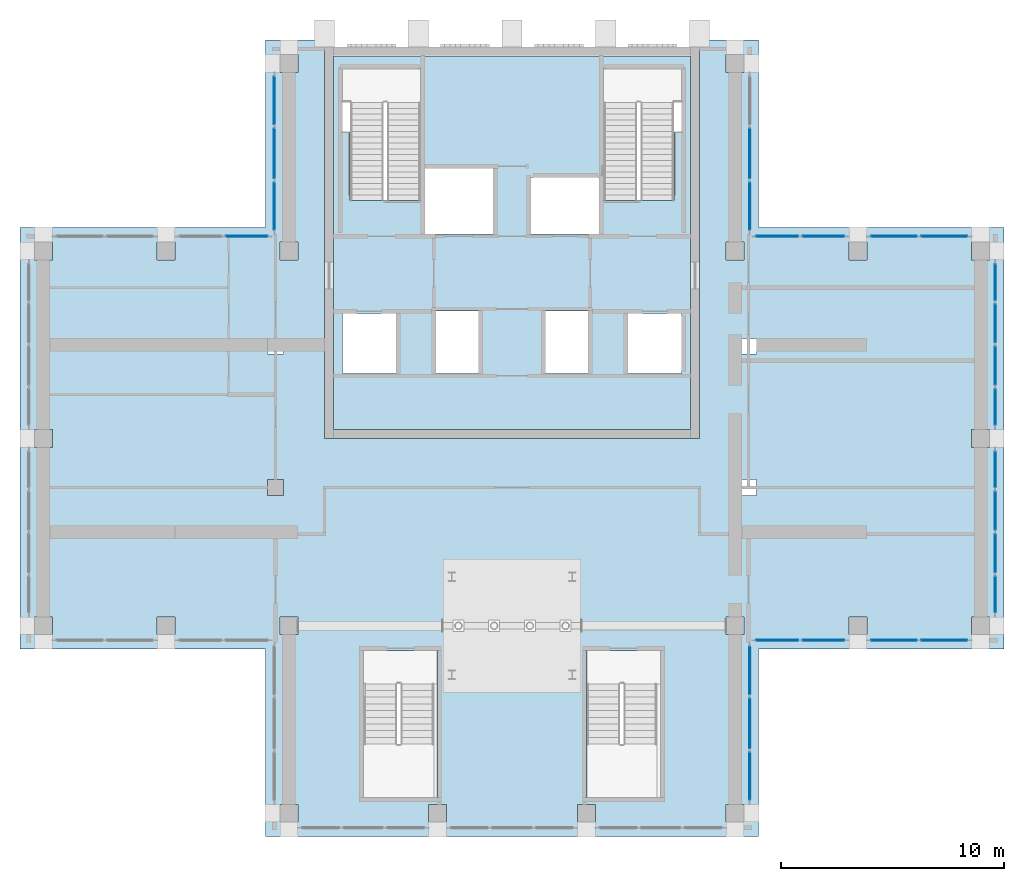
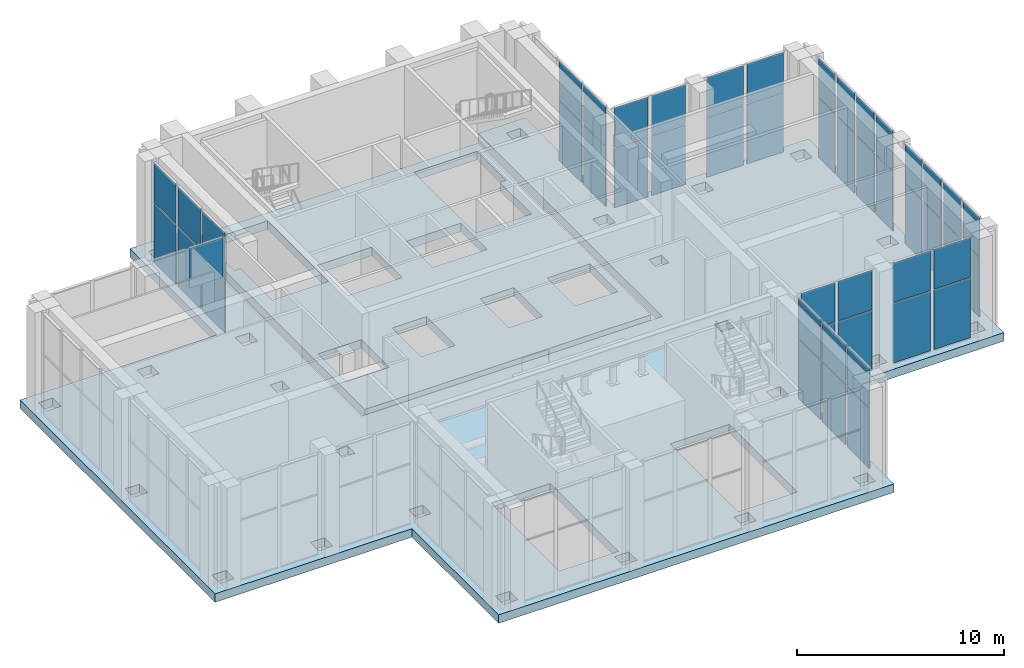
# One storey, part 8 of 14: 49 plates, 2 slabs, 10 elements without a shape of their own.
"""IFC4 building model written with IfcOpenShell, lengths in metres."""

from ifc_helpers import new_model, si_unit, direction, frame, origin, origin_2d, place, context, subcontext, project, spatial, polyline, rectangle, outline, extrude, material, layer, layer_set, type_object, element, aggregate, save


model = new_model("IFC4")

# Units and contexts
model_context = context("Model", 3, precision=1e-05, world=origin(), true_north=direction((0.0, 1.0)))
body_context = subcontext(model_context, "Body", "Model", "MODEL_VIEW")
ifc_project = project(units=[si_unit("LENGTHUNIT", "METRE"), si_unit("AREAUNIT", "SQUARE_METRE"), si_unit("VOLUMEUNIT", "CUBIC_METRE"), si_unit("PLANEANGLEUNIT", "RADIAN"), si_unit("MASSUNIT", "GRAM", prefix="KILO")], contexts=[model_context])

# Site, building, storey
site_placement = place(None, origin())
site = spatial("IfcSite", under=ifc_project, at=site_placement, CompositionType="ELEMENT")
building_placement = place(site_placement, origin())
building = spatial("IfcBuilding", under=site, at=building_placement, Name="Vermilion Ogive Tower", CompositionType="ELEMENT")
storey_placement = place(building_placement, frame((0.0, 0.0, 278.35009765625)))
storey = spatial("IfcBuildingStorey", under=building, at=storey_placement, Name="L73", CompositionType="ELEMENT", Elevation=278.35009765625)

# Curtain wall, plates
ifc_material_1 = material(Name="Laminated solar-control glazing in aluminium frame", Category="aluminium")
curtain_wall_type = type_object("IfcCurtainWallType", Name="Curtain wall CW4", PredefinedType="NOTDEFINED", material=ifc_material_1)
curtain_wall_1_placement = place(storey_placement, origin())
curtain_wall_1 = element("IfcCurtainWall", 1, at=curtain_wall_1_placement, inside=storey, type_object=curtain_wall_type, Name="CW4 glazing X11", PredefinedType="NOTDEFINED")
ifc_material_2 = material(Name="Laminated solar-control glazing in aluminium frame", Category="aluminium")
ifc_layer_1 = layer(ifc_material_2, 0.0400390625)
ifc_layer_set_1 = layer_set([ifc_layer_1], Name="CW4 glazing panel 40")
plate_type = type_object("IfcPlateType", Name="CW4 glazing panel 40", PredefinedType="CURTAIN_PANEL", material=ifc_layer_set_1)
plate_1_placement = place(storey_placement, frame((10.64990234375, -10.941650390625, 0.06005859375), z_axis=(0.0, 0.0, 1.0), x_axis=(0.0, 1.0, 0.0)))
plate_1 = element("IfcPlate", 2, at=plate_1_placement, type_object=plate_type, Name="CW4-X11 panel 1.1", PredefinedType="CURTAIN_PANEL", context=body_context, shape_type="SweptSolid", body=[
    extrude(rectangle(XDim=2.11669921875, YDim=0.0400390625, at=origin_2d()), origin(), (0.0, 0.0, 1.0), 3.510009765625),
])
plate_2_placement = place(storey_placement, frame((10.64990234375, -10.941650390625, 3.6298828125), z_axis=(0.0, 0.0, 1.0), x_axis=(0.0, 1.0, 0.0)))
plate_2 = element("IfcPlate", 3, at=plate_2_placement, type_object=plate_type, Name="CW4-X11 panel 1.2", PredefinedType="CURTAIN_PANEL", context=body_context, shape_type="SweptSolid", body=[
    extrude(rectangle(XDim=2.11669921875, YDim=0.0400390625, at=origin_2d()), origin(), (0.0, 0.0, 1.0), 2.31005859375),
])
plate_3_placement = place(storey_placement, frame((10.64990234375, -8.574951171875, 0.06005859375), z_axis=(0.0, 0.0, 1.0), x_axis=(0.0, 1.0, 0.0)))
plate_3 = element("IfcPlate", 4, at=plate_3_placement, type_object=plate_type, Name="CW4-X11 panel 2.1", PredefinedType="CURTAIN_PANEL", context=body_context, shape_type="SweptSolid", body=[
    extrude(rectangle(XDim=2.216552734375, YDim=0.0400390625, at=origin_2d()), origin(), (0.0, 0.0, 1.0), 3.510009765625),
])
plate_4_placement = place(storey_placement, frame((10.64990234375, -8.574951171875, 3.6298828125), z_axis=(0.0, 0.0, 1.0), x_axis=(0.0, 1.0, 0.0)))
plate_4 = element("IfcPlate", 5, at=plate_4_placement, type_object=plate_type, Name="CW4-X11 panel 2.2", PredefinedType="CURTAIN_PANEL", context=body_context, shape_type="SweptSolid", body=[
    extrude(rectangle(XDim=2.216552734375, YDim=0.0400390625, at=origin_2d()), origin(), (0.0, 0.0, 1.0), 2.31005859375),
])
plate_5_placement = place(storey_placement, frame((10.64990234375, -6.208251953125, 0.06005859375), z_axis=(0.0, 0.0, 1.0), x_axis=(0.0, 1.0, 0.0)))
plate_5 = element("IfcPlate", 6, at=plate_5_placement, type_object=plate_type, Name="CW4-X11 panel 3.1", PredefinedType="CURTAIN_PANEL", context=body_context, shape_type="SweptSolid", body=[
    extrude(rectangle(XDim=2.11669921875, YDim=0.0400390625, at=origin_2d()), origin(), (0.0, 0.0, 1.0), 3.510009765625),
])
plate_6_placement = place(storey_placement, frame((10.64990234375, -6.208251953125, 3.6298828125), z_axis=(0.0, 0.0, 1.0), x_axis=(0.0, 1.0, 0.0)))
plate_6 = element("IfcPlate", 7, at=plate_6_placement, type_object=plate_type, Name="CW4-X11 panel 3.2", PredefinedType="CURTAIN_PANEL", context=body_context, shape_type="SweptSolid", body=[
    extrude(rectangle(XDim=2.11669921875, YDim=0.0400390625, at=origin_2d()), origin(), (0.0, 0.0, 1.0), 2.31005859375),
])
aggregate(curtain_wall_1, [plate_1, plate_2, plate_3, plate_4, plate_5, plate_6])

curtain_wall_2_placement = place(storey_placement, origin())
curtain_wall_2 = element("IfcCurtainWall", 8, at=curtain_wall_2_placement, inside=storey, type_object=curtain_wall_type, Name="CW4 glazing X21", PredefinedType="NOTDEFINED")
plate_7_placement = place(storey_placement, frame((11.887451171875, -4.85009765625, 0.06005859375), z_axis=(0.0, 0.0, 1.0), x_axis=(1.0, 0.0, 0.0)))
plate_7 = element("IfcPlate", 9, at=plate_7_placement, type_object=plate_type, Name="CW4-X21 panel 1.1", PredefinedType="CURTAIN_PANEL", context=body_context, shape_type="SweptSolid", body=[
    extrude(rectangle(XDim=1.875, YDim=0.0400390625, at=origin_2d()), origin(), (0.0, 0.0, 1.0), 3.510009765625),
])
plate_8_placement = place(storey_placement, frame((11.887451171875, -4.85009765625, 3.6298828125), z_axis=(0.0, 0.0, 1.0), x_axis=(1.0, 0.0, 0.0)))
plate_8 = element("IfcPlate", 10, at=plate_8_placement, type_object=plate_type, Name="CW4-X21 panel 1.2", PredefinedType="CURTAIN_PANEL", context=body_context, shape_type="SweptSolid", body=[
    extrude(rectangle(XDim=1.875, YDim=0.0400390625, at=origin_2d()), origin(), (0.0, 0.0, 1.0), 2.31005859375),
])
plate_9_placement = place(storey_placement, frame((13.96240234375, -4.85009765625, 0.06005859375), z_axis=(0.0, 0.0, 1.0), x_axis=(1.0, 0.0, 0.0)))
plate_9 = element("IfcPlate", 11, at=plate_9_placement, type_object=plate_type, Name="CW4-X21 panel 2.1", PredefinedType="CURTAIN_PANEL", context=body_context, shape_type="SweptSolid", body=[
    extrude(rectangle(XDim=1.875, YDim=0.0400390625, at=origin_2d()), origin(), (0.0, 0.0, 1.0), 3.510009765625),
])
plate_10_placement = place(storey_placement, frame((13.96240234375, -4.85009765625, 3.6298828125), z_axis=(0.0, 0.0, 1.0), x_axis=(1.0, 0.0, 0.0)))
plate_10 = element("IfcPlate", 12, at=plate_10_placement, type_object=plate_type, Name="CW4-X21 panel 2.2", PredefinedType="CURTAIN_PANEL", context=body_context, shape_type="SweptSolid", body=[
    extrude(rectangle(XDim=1.875, YDim=0.0400390625, at=origin_2d()), origin(), (0.0, 0.0, 1.0), 2.31005859375),
])
aggregate(curtain_wall_2, [plate_7, plate_8, plate_9, plate_10])

curtain_wall_3_placement = place(storey_placement, origin())
curtain_wall_3 = element("IfcCurtainWall", 13, at=curtain_wall_3_placement, inside=storey, type_object=curtain_wall_type, Name="CW4 glazing X22", PredefinedType="NOTDEFINED")
plate_11_placement = place(storey_placement, frame((17.125, -4.85009765625, 0.06005859375), z_axis=(0.0, 0.0, 1.0), x_axis=(1.0, 0.0, 0.0)))
plate_11 = element("IfcPlate", 14, at=plate_11_placement, type_object=plate_type, Name="CW4-X22 panel 1.1", PredefinedType="CURTAIN_PANEL", context=body_context, shape_type="SweptSolid", body=[
    extrude(rectangle(XDim=2.050048828125, YDim=0.0400390625, at=origin_2d()), origin(), (0.0, 0.0, 1.0), 3.510009765625),
])
plate_12_placement = place(storey_placement, frame((17.125, -4.85009765625, 3.6298828125), z_axis=(0.0, 0.0, 1.0), x_axis=(1.0, 0.0, 0.0)))
plate_12 = element("IfcPlate", 15, at=plate_12_placement, type_object=plate_type, Name="CW4-X22 panel 1.2", PredefinedType="CURTAIN_PANEL", context=body_context, shape_type="SweptSolid", body=[
    extrude(rectangle(XDim=2.050048828125, YDim=0.0400390625, at=origin_2d()), origin(), (0.0, 0.0, 1.0), 2.31005859375),
])
plate_13_placement = place(storey_placement, frame((19.375, -4.85009765625, 0.06005859375), z_axis=(0.0, 0.0, 1.0), x_axis=(1.0, 0.0, 0.0)))
plate_13 = element("IfcPlate", 16, at=plate_13_placement, type_object=plate_type, Name="CW4-X22 panel 2.1", PredefinedType="CURTAIN_PANEL", context=body_context, shape_type="SweptSolid", body=[
    extrude(rectangle(XDim=2.050048828125, YDim=0.0400390625, at=origin_2d()), origin(), (0.0, 0.0, 1.0), 3.510009765625),
])
plate_14_placement = place(storey_placement, frame((19.375, -4.85009765625, 3.6298828125), z_axis=(0.0, 0.0, 1.0), x_axis=(1.0, 0.0, 0.0)))
plate_14 = element("IfcPlate", 17, at=plate_14_placement, type_object=plate_type, Name="CW4-X22 panel 2.2", PredefinedType="CURTAIN_PANEL", context=body_context, shape_type="SweptSolid", body=[
    extrude(rectangle(XDim=2.050048828125, YDim=0.0400390625, at=origin_2d()), origin(), (0.0, 0.0, 1.0), 2.31005859375),
])
aggregate(curtain_wall_3, [plate_11, plate_12, plate_13, plate_14])

curtain_wall_4_placement = place(storey_placement, origin())
curtain_wall_4 = element("IfcCurtainWall", 18, at=curtain_wall_4_placement, inside=storey, type_object=curtain_wall_type, Name="CW4 glazing E1", PredefinedType="NOTDEFINED")
plate_15_placement = place(storey_placement, frame((21.64990234375, -2.800048828125, 0.06005859375), z_axis=(0.0, 0.0, 1.0), x_axis=(0.0, 1.0, 0.0)))
plate_15 = element("IfcPlate", 19, at=plate_15_placement, type_object=plate_type, Name="CW4-E1 panel 1.1", PredefinedType="CURTAIN_PANEL", context=body_context, shape_type="SweptSolid", body=[
    extrude(rectangle(XDim=1.60009765625, YDim=0.0400390625, at=origin_2d()), origin(), (0.0, 0.0, 1.0), 3.510009765625),
])
plate_16_placement = place(storey_placement, frame((21.64990234375, -2.800048828125, 3.6298828125), z_axis=(0.0, 0.0, 1.0), x_axis=(0.0, 1.0, 0.0)))
plate_16 = element("IfcPlate", 20, at=plate_16_placement, type_object=plate_type, Name="CW4-E1 panel 1.2", PredefinedType="CURTAIN_PANEL", context=body_context, shape_type="SweptSolid", body=[
    extrude(rectangle(XDim=1.60009765625, YDim=0.0400390625, at=origin_2d()), origin(), (0.0, 0.0, 1.0), 2.31005859375),
])
plate_17_placement = place(storey_placement, frame((21.64990234375, -0.949951171875, 0.06005859375), z_axis=(0.0, 0.0, 1.0), x_axis=(0.0, 1.0, 0.0)))
plate_17 = element("IfcPlate", 21, at=plate_17_placement, type_object=plate_type, Name="CW4-E1 panel 2.1", PredefinedType="CURTAIN_PANEL", context=body_context, shape_type="SweptSolid", body=[
    extrude(rectangle(XDim=1.699951171875, YDim=0.0400390625, at=origin_2d()), origin(), (0.0, 0.0, 1.0), 3.510009765625),
])
plate_18_placement = place(storey_placement, frame((21.64990234375, -0.949951171875, 3.6298828125), z_axis=(0.0, 0.0, 1.0), x_axis=(0.0, 1.0, 0.0)))
plate_18 = element("IfcPlate", 22, at=plate_18_placement, type_object=plate_type, Name="CW4-E1 panel 2.2", PredefinedType="CURTAIN_PANEL", context=body_context, shape_type="SweptSolid", body=[
    extrude(rectangle(XDim=1.699951171875, YDim=0.0400390625, at=origin_2d()), origin(), (0.0, 0.0, 1.0), 2.31005859375),
])
plate_19_placement = place(storey_placement, frame((21.64990234375, 0.949951171875, 0.06005859375), z_axis=(0.0, 0.0, 1.0), x_axis=(0.0, 1.0, 0.0)))
plate_19 = element("IfcPlate", 23, at=plate_19_placement, type_object=plate_type, Name="CW4-E1 panel 3.1", PredefinedType="CURTAIN_PANEL", context=body_context, shape_type="SweptSolid", body=[
    extrude(rectangle(XDim=1.699951171875, YDim=0.0400390625, at=origin_2d()), origin(), (0.0, 0.0, 1.0), 3.510009765625),
])
plate_20_placement = place(storey_placement, frame((21.64990234375, 0.949951171875, 3.6298828125), z_axis=(0.0, 0.0, 1.0), x_axis=(0.0, 1.0, 0.0)))
plate_20 = element("IfcPlate", 24, at=plate_20_placement, type_object=plate_type, Name="CW4-E1 panel 3.2", PredefinedType="CURTAIN_PANEL", context=body_context, shape_type="SweptSolid", body=[
    extrude(rectangle(XDim=1.699951171875, YDim=0.0400390625, at=origin_2d()), origin(), (0.0, 0.0, 1.0), 2.31005859375),
])
plate_21_placement = place(storey_placement, frame((21.64990234375, 2.800048828125, 0.06005859375), z_axis=(0.0, 0.0, 1.0), x_axis=(0.0, 1.0, 0.0)))
plate_21 = element("IfcPlate", 25, at=plate_21_placement, type_object=plate_type, Name="CW4-E1 panel 4.1", PredefinedType="CURTAIN_PANEL", context=body_context, shape_type="SweptSolid", body=[
    extrude(rectangle(XDim=1.60009765625, YDim=0.0400390625, at=origin_2d()), origin(), (0.0, 0.0, 1.0), 3.510009765625),
])
plate_22_placement = place(storey_placement, frame((21.64990234375, 2.800048828125, 3.6298828125), z_axis=(0.0, 0.0, 1.0), x_axis=(0.0, 1.0, 0.0)))
plate_22 = element("IfcPlate", 26, at=plate_22_placement, type_object=plate_type, Name="CW4-E1 panel 4.2", PredefinedType="CURTAIN_PANEL", context=body_context, shape_type="SweptSolid", body=[
    extrude(rectangle(XDim=1.60009765625, YDim=0.0400390625, at=origin_2d()), origin(), (0.0, 0.0, 1.0), 2.31005859375),
])
aggregate(curtain_wall_4, [plate_15, plate_16, plate_17, plate_18, plate_19, plate_20, plate_21, plate_22])

curtain_wall_5_placement = place(storey_placement, origin())
curtain_wall_5 = element("IfcCurtainWall", 27, at=curtain_wall_5_placement, inside=storey, type_object=curtain_wall_type, Name="CW4 glazing E2", PredefinedType="NOTDEFINED")
plate_23_placement = place(storey_placement, frame((21.64990234375, 5.60009765625, 0.06005859375), z_axis=(0.0, 0.0, 1.0), x_axis=(0.0, 1.0, 0.0)))
plate_23 = element("IfcPlate", 28, at=plate_23_placement, type_object=plate_type, Name="CW4-E2 panel 1.1", PredefinedType="CURTAIN_PANEL", context=body_context, shape_type="SweptSolid", body=[
    extrude(rectangle(XDim=1.60009765625, YDim=0.0400390625, at=origin_2d()), origin(), (0.0, 0.0, 1.0), 3.510009765625),
])
plate_24_placement = place(storey_placement, frame((21.64990234375, 5.60009765625, 3.6298828125), z_axis=(0.0, 0.0, 1.0), x_axis=(0.0, 1.0, 0.0)))
plate_24 = element("IfcPlate", 29, at=plate_24_placement, type_object=plate_type, Name="CW4-E2 panel 1.2", PredefinedType="CURTAIN_PANEL", context=body_context, shape_type="SweptSolid", body=[
    extrude(rectangle(XDim=1.60009765625, YDim=0.0400390625, at=origin_2d()), origin(), (0.0, 0.0, 1.0), 2.31005859375),
])
plate_25_placement = place(storey_placement, frame((21.64990234375, 7.449951171875, 0.06005859375), z_axis=(0.0, 0.0, 1.0), x_axis=(0.0, 1.0, 0.0)))
plate_25 = element("IfcPlate", 30, at=plate_25_placement, type_object=plate_type, Name="CW4-E2 panel 2.1", PredefinedType="CURTAIN_PANEL", context=body_context, shape_type="SweptSolid", body=[
    extrude(rectangle(XDim=1.699951171875, YDim=0.0400390625, at=origin_2d()), origin(), (0.0, 0.0, 1.0), 3.510009765625),
])
plate_26_placement = place(storey_placement, frame((21.64990234375, 7.449951171875, 3.6298828125), z_axis=(0.0, 0.0, 1.0), x_axis=(0.0, 1.0, 0.0)))
plate_26 = element("IfcPlate", 31, at=plate_26_placement, type_object=plate_type, Name="CW4-E2 panel 2.2", PredefinedType="CURTAIN_PANEL", context=body_context, shape_type="SweptSolid", body=[
    extrude(rectangle(XDim=1.699951171875, YDim=0.0400390625, at=origin_2d()), origin(), (0.0, 0.0, 1.0), 2.31005859375),
])
plate_27_placement = place(storey_placement, frame((21.64990234375, 9.35009765625, 0.06005859375), z_axis=(0.0, 0.0, 1.0), x_axis=(0.0, 1.0, 0.0)))
plate_27 = element("IfcPlate", 32, at=plate_27_placement, type_object=plate_type, Name="CW4-E2 panel 3.1", PredefinedType="CURTAIN_PANEL", context=body_context, shape_type="SweptSolid", body=[
    extrude(rectangle(XDim=1.699951171875, YDim=0.0400390625, at=origin_2d()), origin(), (0.0, 0.0, 1.0), 3.510009765625),
])
plate_28_placement = place(storey_placement, frame((21.64990234375, 9.35009765625, 3.6298828125), z_axis=(0.0, 0.0, 1.0), x_axis=(0.0, 1.0, 0.0)))
plate_28 = element("IfcPlate", 33, at=plate_28_placement, type_object=plate_type, Name="CW4-E2 panel 3.2", PredefinedType="CURTAIN_PANEL", context=body_context, shape_type="SweptSolid", body=[
    extrude(rectangle(XDim=1.699951171875, YDim=0.0400390625, at=origin_2d()), origin(), (0.0, 0.0, 1.0), 2.31005859375),
])
plate_29_placement = place(storey_placement, frame((21.64990234375, 11.199951171875, 0.06005859375), z_axis=(0.0, 0.0, 1.0), x_axis=(0.0, 1.0, 0.0)))
plate_29 = element("IfcPlate", 34, at=plate_29_placement, type_object=plate_type, Name="CW4-E2 panel 4.1", PredefinedType="CURTAIN_PANEL", context=body_context, shape_type="SweptSolid", body=[
    extrude(rectangle(XDim=1.60009765625, YDim=0.0400390625, at=origin_2d()), origin(), (0.0, 0.0, 1.0), 3.510009765625),
])
plate_30_placement = place(storey_placement, frame((21.64990234375, 11.199951171875, 3.6298828125), z_axis=(0.0, 0.0, 1.0), x_axis=(0.0, 1.0, 0.0)))
plate_30 = element("IfcPlate", 35, at=plate_30_placement, type_object=plate_type, Name="CW4-E2 panel 4.2", PredefinedType="CURTAIN_PANEL", context=body_context, shape_type="SweptSolid", body=[
    extrude(rectangle(XDim=1.60009765625, YDim=0.0400390625, at=origin_2d()), origin(), (0.0, 0.0, 1.0), 2.31005859375),
])
aggregate(curtain_wall_5, [plate_23, plate_24, plate_25, plate_26, plate_27, plate_28, plate_29, plate_30])

curtain_wall_6_placement = place(storey_placement, origin())
curtain_wall_6 = element("IfcCurtainWall", 36, at=curtain_wall_6_placement, inside=storey, type_object=curtain_wall_type, Name="CW4 glazing X31", PredefinedType="NOTDEFINED")
plate_31_placement = place(storey_placement, frame((19.375, 13.25, 0.06005859375), z_axis=(0.0, 0.0, 1.0), x_axis=(-1.0, 0.0, 0.0)))
plate_31 = element("IfcPlate", 37, at=plate_31_placement, type_object=plate_type, Name="CW4-X31 panel 1.1", PredefinedType="CURTAIN_PANEL", context=body_context, shape_type="SweptSolid", body=[
    extrude(rectangle(XDim=2.050048828125, YDim=0.0400390625, at=origin_2d()), origin(), (0.0, 0.0, 1.0), 3.510009765625),
])
plate_32_placement = place(storey_placement, frame((19.375, 13.25, 3.6298828125), z_axis=(0.0, 0.0, 1.0), x_axis=(-1.0, 0.0, 0.0)))
plate_32 = element("IfcPlate", 38, at=plate_32_placement, type_object=plate_type, Name="CW4-X31 panel 1.2", PredefinedType="CURTAIN_PANEL", context=body_context, shape_type="SweptSolid", body=[
    extrude(rectangle(XDim=2.050048828125, YDim=0.0400390625, at=origin_2d()), origin(), (0.0, 0.0, 1.0), 2.31005859375),
])
plate_33_placement = place(storey_placement, frame((17.125, 13.25, 0.06005859375), z_axis=(0.0, 0.0, 1.0), x_axis=(-1.0, 0.0, 0.0)))
plate_33 = element("IfcPlate", 39, at=plate_33_placement, type_object=plate_type, Name="CW4-X31 panel 2.1", PredefinedType="CURTAIN_PANEL", context=body_context, shape_type="SweptSolid", body=[
    extrude(rectangle(XDim=2.050048828125, YDim=0.0400390625, at=origin_2d()), origin(), (0.0, 0.0, 1.0), 3.510009765625),
])
plate_34_placement = place(storey_placement, frame((17.125, 13.25, 3.6298828125), z_axis=(0.0, 0.0, 1.0), x_axis=(-1.0, 0.0, 0.0)))
plate_34 = element("IfcPlate", 40, at=plate_34_placement, type_object=plate_type, Name="CW4-X31 panel 2.2", PredefinedType="CURTAIN_PANEL", context=body_context, shape_type="SweptSolid", body=[
    extrude(rectangle(XDim=2.050048828125, YDim=0.0400390625, at=origin_2d()), origin(), (0.0, 0.0, 1.0), 2.31005859375),
])
aggregate(curtain_wall_6, [plate_31, plate_32, plate_33, plate_34])

curtain_wall_7_placement = place(storey_placement, origin())
curtain_wall_7 = element("IfcCurtainWall", 41, at=curtain_wall_7_placement, inside=storey, type_object=curtain_wall_type, Name="CW4 glazing X32", PredefinedType="NOTDEFINED")
plate_35_placement = place(storey_placement, frame((13.96240234375, 13.25, 0.06005859375), z_axis=(0.0, 0.0, 1.0), x_axis=(-1.0, 0.0, 0.0)))
plate_35 = element("IfcPlate", 42, at=plate_35_placement, type_object=plate_type, Name="CW4-X32 panel 1.1", PredefinedType="CURTAIN_PANEL", context=body_context, shape_type="SweptSolid", body=[
    extrude(rectangle(XDim=1.875, YDim=0.0400390625, at=origin_2d()), origin(), (0.0, 0.0, 1.0), 3.510009765625),
])
plate_36_placement = place(storey_placement, frame((13.96240234375, 13.25, 3.6298828125), z_axis=(0.0, 0.0, 1.0), x_axis=(-1.0, 0.0, 0.0)))
plate_36 = element("IfcPlate", 43, at=plate_36_placement, type_object=plate_type, Name="CW4-X32 panel 1.2", PredefinedType="CURTAIN_PANEL", context=body_context, shape_type="SweptSolid", body=[
    extrude(rectangle(XDim=1.875, YDim=0.0400390625, at=origin_2d()), origin(), (0.0, 0.0, 1.0), 2.31005859375),
])
plate_37_placement = place(storey_placement, frame((11.887451171875, 13.25, 0.06005859375), z_axis=(0.0, 0.0, 1.0), x_axis=(-1.0, 0.0, 0.0)))
plate_37 = element("IfcPlate", 44, at=plate_37_placement, type_object=plate_type, Name="CW4-X32 panel 2.1", PredefinedType="CURTAIN_PANEL", context=body_context, shape_type="SweptSolid", body=[
    extrude(rectangle(XDim=1.875, YDim=0.0400390625, at=origin_2d()), origin(), (0.0, 0.0, 1.0), 3.510009765625),
])
plate_38_placement = place(storey_placement, frame((11.887451171875, 13.25, 3.6298828125), z_axis=(0.0, 0.0, 1.0), x_axis=(-1.0, 0.0, 0.0)))
plate_38 = element("IfcPlate", 45, at=plate_38_placement, type_object=plate_type, Name="CW4-X32 panel 2.2", PredefinedType="CURTAIN_PANEL", context=body_context, shape_type="SweptSolid", body=[
    extrude(rectangle(XDim=1.875, YDim=0.0400390625, at=origin_2d()), origin(), (0.0, 0.0, 1.0), 2.31005859375),
])
aggregate(curtain_wall_7, [plate_35, plate_36, plate_37, plate_38])

curtain_wall_8_placement = place(storey_placement, origin())
curtain_wall_8 = element("IfcCurtainWall", 46, at=curtain_wall_8_placement, inside=storey, type_object=curtain_wall_type, Name="CW4 glazing X41", PredefinedType="NOTDEFINED")
plate_39_placement = place(storey_placement, frame((10.64990234375, 14.6083984375, 0.06005859375), z_axis=(0.0, 0.0, 1.0), x_axis=(0.0, 1.0, 0.0)))
plate_39 = element("IfcPlate", 47, at=plate_39_placement, type_object=plate_type, Name="CW4-X41 panel 1.1", PredefinedType="CURTAIN_PANEL", context=body_context, shape_type="SweptSolid", body=[
    extrude(rectangle(XDim=2.11669921875, YDim=0.0400390625, at=origin_2d()), origin(), (0.0, 0.0, 1.0), 3.510009765625),
])
plate_40_placement = place(storey_placement, frame((10.64990234375, 14.6083984375, 3.6298828125), z_axis=(0.0, 0.0, 1.0), x_axis=(0.0, 1.0, 0.0)))
plate_40 = element("IfcPlate", 48, at=plate_40_placement, type_object=plate_type, Name="CW4-X41 panel 1.2", PredefinedType="CURTAIN_PANEL", context=body_context, shape_type="SweptSolid", body=[
    extrude(rectangle(XDim=2.11669921875, YDim=0.0400390625, at=origin_2d()), origin(), (0.0, 0.0, 1.0), 2.31005859375),
])
plate_41_placement = place(storey_placement, frame((10.64990234375, 16.97509765625, 0.06005859375), z_axis=(0.0, 0.0, 1.0), x_axis=(0.0, 1.0, 0.0)))
plate_41 = element("IfcPlate", 49, at=plate_41_placement, type_object=plate_type, Name="CW4-X41 panel 2.1", PredefinedType="CURTAIN_PANEL", context=body_context, shape_type="SweptSolid", body=[
    extrude(rectangle(XDim=2.216552734375, YDim=0.0400390625, at=origin_2d()), origin(), (0.0, 0.0, 1.0), 3.510009765625),
])
plate_42_placement = place(storey_placement, frame((10.64990234375, 16.97509765625, 3.6298828125), z_axis=(0.0, 0.0, 1.0), x_axis=(0.0, 1.0, 0.0)))
plate_42 = element("IfcPlate", 50, at=plate_42_placement, type_object=plate_type, Name="CW4-X41 panel 2.2", PredefinedType="CURTAIN_PANEL", context=body_context, shape_type="SweptSolid", body=[
    extrude(rectangle(XDim=2.216552734375, YDim=0.0400390625, at=origin_2d()), origin(), (0.0, 0.0, 1.0), 2.31005859375),
])
aggregate(curtain_wall_8, [plate_39, plate_40, plate_41, plate_42])

curtain_wall_9_placement = place(storey_placement, origin())
curtain_wall_9 = element("IfcCurtainWall", 51, at=curtain_wall_9_placement, inside=storey, type_object=curtain_wall_type, Name="CW4 glazing X51", PredefinedType="NOTDEFINED")
plate_43_placement = place(storey_placement, frame((-10.64990234375, 19.341552734375, 0.06005859375), z_axis=(0.0, 0.0, 1.0), x_axis=(0.0, -1.0, 0.0)))
plate_43 = element("IfcPlate", 52, at=plate_43_placement, type_object=plate_type, Name="CW4-X51 panel 1.1", PredefinedType="CURTAIN_PANEL", context=body_context, shape_type="SweptSolid", body=[
    extrude(rectangle(XDim=2.11669921875, YDim=0.0400390625, at=origin_2d()), origin(), (0.0, 0.0, 1.0), 3.510009765625),
])
plate_44_placement = place(storey_placement, frame((-10.64990234375, 19.341552734375, 3.6298828125), z_axis=(0.0, 0.0, 1.0), x_axis=(0.0, -1.0, 0.0)))
plate_44 = element("IfcPlate", 53, at=plate_44_placement, type_object=plate_type, Name="CW4-X51 panel 1.2", PredefinedType="CURTAIN_PANEL", context=body_context, shape_type="SweptSolid", body=[
    extrude(rectangle(XDim=2.11669921875, YDim=0.0400390625, at=origin_2d()), origin(), (0.0, 0.0, 1.0), 2.31005859375),
])
plate_45_placement = place(storey_placement, frame((-10.64990234375, 16.97509765625, 0.06005859375), z_axis=(0.0, 0.0, 1.0), x_axis=(0.0, -1.0, 0.0)))
plate_45 = element("IfcPlate", 54, at=plate_45_placement, type_object=plate_type, Name="CW4-X51 panel 2.1", PredefinedType="CURTAIN_PANEL", context=body_context, shape_type="SweptSolid", body=[
    extrude(rectangle(XDim=2.216552734375, YDim=0.0400390625, at=origin_2d()), origin(), (0.0, 0.0, 1.0), 3.510009765625),
])
plate_46_placement = place(storey_placement, frame((-10.64990234375, 16.97509765625, 3.6298828125), z_axis=(0.0, 0.0, 1.0), x_axis=(0.0, -1.0, 0.0)))
plate_46 = element("IfcPlate", 55, at=plate_46_placement, type_object=plate_type, Name="CW4-X51 panel 2.2", PredefinedType="CURTAIN_PANEL", context=body_context, shape_type="SweptSolid", body=[
    extrude(rectangle(XDim=2.216552734375, YDim=0.0400390625, at=origin_2d()), origin(), (0.0, 0.0, 1.0), 2.31005859375),
])
plate_47_placement = place(storey_placement, frame((-10.64990234375, 14.6083984375, 0.06005859375), z_axis=(0.0, 0.0, 1.0), x_axis=(0.0, -1.0, 0.0)))
plate_47 = element("IfcPlate", 56, at=plate_47_placement, type_object=plate_type, Name="CW4-X51 panel 3.1", PredefinedType="CURTAIN_PANEL", context=body_context, shape_type="SweptSolid", body=[
    extrude(rectangle(XDim=2.11669921875, YDim=0.0400390625, at=origin_2d()), origin(), (0.0, 0.0, 1.0), 3.510009765625),
])
plate_48_placement = place(storey_placement, frame((-10.64990234375, 14.6083984375, 3.6298828125), z_axis=(0.0, 0.0, 1.0), x_axis=(0.0, -1.0, 0.0)))
plate_48 = element("IfcPlate", 57, at=plate_48_placement, type_object=plate_type, Name="CW4-X51 panel 3.2", PredefinedType="CURTAIN_PANEL", context=body_context, shape_type="SweptSolid", body=[
    extrude(rectangle(XDim=2.11669921875, YDim=0.0400390625, at=origin_2d()), origin(), (0.0, 0.0, 1.0), 2.31005859375),
])
aggregate(curtain_wall_9, [plate_43, plate_44, plate_45, plate_46, plate_47, plate_48])

# Curtain wall, plate
curtain_wall_10_placement = place(storey_placement, origin())
curtain_wall_10 = element("IfcCurtainWall", 58, at=curtain_wall_10_placement, inside=storey, type_object=curtain_wall_type, Name="CW4 glazing X61", PredefinedType="NOTDEFINED")
plate_49_placement = place(storey_placement, frame((-11.887451171875, 13.25, 3.6298828125), z_axis=(0.0, 0.0, 1.0), x_axis=(-1.0, 0.0, 0.0)))
plate_49 = element("IfcPlate", 59, at=plate_49_placement, type_object=plate_type, Name="CW4-X61 panel 1.2", PredefinedType="CURTAIN_PANEL", context=body_context, shape_type="SweptSolid", body=[
    extrude(rectangle(XDim=1.875, YDim=0.0400390625, at=origin_2d()), origin(), (0.0, 0.0, 1.0), 2.31005859375),
])
aggregate(curtain_wall_10, [plate_49])

# Slabs
ifc_material_3 = material(Name="Concrete B40", Category="concrete")
ifc_layer_2 = layer(ifc_material_3, 0.5)
ifc_layer_set_2 = layer_set([ifc_layer_2], Name="Core floor slab 500 B40")
slab_type_1 = type_object("IfcSlabType", Name="Core floor slab 500 B40", PredefinedType="FLOOR", material=ifc_layer_set_2)
slab_1_placement = place(storey_placement, frame((0.0, 0.0, -0.5)))
element("IfcSlab", 60, at=slab_1_placement, inside=storey, type_object=slab_type_1, Name="L73-CK-FS1", PredefinedType="FLOOR", context=body_context, shape_type="SweptSolid", body=[
    extrude(outline(polyline([(-7.99609375, 4.60400390625), (7.99609375, 4.60400390625), (7.99609375, 21.345947265625), (-7.99609375, 21.345947265625), (-7.99609375, 4.60400390625)]), holes=[polyline([(-5.199951171875, 7.10009765625), (-7.60009765625, 7.10009765625), (-7.60009765625, 9.800048828125), (-5.199951171875, 9.800048828125), (-5.199951171875, 7.10009765625)]), polyline([(5.199951171875, 7.10009765625), (5.199951171875, 9.800048828125), (7.60009765625, 9.800048828125), (7.60009765625, 7.10009765625), (5.199951171875, 7.10009765625)]), polyline([(-3.39990234375, 7.10009765625), (-3.39990234375, 9.89990234375), (-1.5, 9.89990234375), (-1.5, 7.10009765625), (-3.39990234375, 7.10009765625)]), polyline([(3.39990234375, 7.10009765625), (1.5, 7.10009765625), (1.5, 9.89990234375), (3.39990234375, 9.89990234375), (3.39990234375, 7.10009765625)]), polyline([(3.89990234375, 13.35009765625), (0.85009765625, 13.35009765625), (0.85009765625, 15.89990234375), (3.89990234375, 15.89990234375), (3.89990234375, 13.35009765625)]), polyline([(-0.85009765625, 13.35009765625), (-3.89990234375, 13.35009765625), (-3.89990234375, 16.300048828125), (-0.85009765625, 16.300048828125), (-0.85009765625, 13.35009765625)]), polyline([(-7.60009765625, 17.929931640625), (-7.60009765625, 20.75), (-4.10009765625, 20.75), (-4.10009765625, 14.85205078125), (-5.60009765625, 14.85205078125), (-5.60009765625, 14.85009765625), (-5.75, 14.85009765625), (-5.75, 14.85205078125), (-7.25, 14.85205078125), (-7.25, 17.929931640625), (-7.60009765625, 17.929931640625)]), polyline([(5.75, 14.85009765625), (5.60009765625, 14.85009765625), (5.60009765625, 14.85205078125), (4.10009765625, 14.85205078125), (4.10009765625, 17.929931640625), (4.074951171875, 17.929931640625), (4.074951171875, 20.75), (7.60009765625, 20.75), (7.60009765625, 17.929931640625), (7.25, 17.929931640625), (7.25, 14.85205078125), (5.75, 14.85205078125), (5.75, 14.85009765625)])]), origin(), (0.0, 0.0, 1.0), 0.5),
])
ifc_material_4 = material(Name="Concrete B45", Category="concrete")
ifc_layer_3 = layer(ifc_material_4, 0.5)
ifc_layer_set_3 = layer_set([ifc_layer_3], Name="Post-tensioned flat plate 500 B45")
slab_type_2 = type_object("IfcSlabType", Name="Post-tensioned flat plate 500 B45", PredefinedType="FLOOR", material=ifc_layer_set_3)
slab_2_placement = place(storey_placement, frame((0.0, 0.0, -0.5)))
element("IfcSlab", 61, at=slab_2_placement, inside=storey, type_object=slab_type_2, Name="L73-SL-1", PredefinedType="FLOOR", context=body_context, shape_type="SweptSolid", body=[
    extrude(outline(polyline([(-11.050048828125, -5.25), (-22.050048828125, -5.25), (-22.050048828125, 13.64990234375), (-11.050048828125, 13.64990234375), (-11.050048828125, 22.050048828125), (-8.39990234375, 22.050048828125), (-8.39990234375, 4.199951171875), (8.39990234375, 4.199951171875), (8.39990234375, 22.050048828125), (11.050048828125, 22.050048828125), (11.050048828125, 13.64990234375), (22.050048828125, 13.64990234375), (22.050048828125, -5.25), (11.050048828125, -5.25), (11.050048828125, -13.64990234375), (-11.050048828125, -13.64990234375), (-11.050048828125, -5.25)]), holes=[polyline([(21.39990234375, 12.199951171875), (21.39990234375, 13.0), (20.60009765625, 13.0), (20.60009765625, 12.199951171875), (21.39990234375, 12.199951171875)]), polyline([(21.39990234375, 3.800048828125), (21.39990234375, 4.60009765625), (20.60009765625, 4.60009765625), (20.60009765625, 3.800048828125), (21.39990234375, 3.800048828125)]), polyline([(21.39990234375, -4.60009765625), (21.39990234375, -3.800048828125), (20.60009765625, -3.800048828125), (20.60009765625, -4.60009765625), (21.39990234375, -4.60009765625)]), polyline([(15.89990234375, 12.199951171875), (15.89990234375, 13.0), (15.10009765625, 13.0), (15.10009765625, 12.199951171875), (15.89990234375, 12.199951171875)]), polyline([(15.89990234375, -4.60009765625), (15.89990234375, -3.800048828125), (15.10009765625, -3.800048828125), (15.10009765625, -4.60009765625), (15.89990234375, -4.60009765625)]), polyline([(10.949951171875, 7.9833984375), (10.949951171875, 8.683349609375), (10.25, 8.683349609375), (10.25, 7.9833984375), (10.949951171875, 7.9833984375)]), polyline([(10.949951171875, 1.64990234375), (10.949951171875, 2.35009765625), (10.25, 2.35009765625), (10.25, 1.64990234375), (10.949951171875, 1.64990234375)]), polyline([(10.39990234375, 20.60009765625), (10.39990234375, 21.39990234375), (9.60009765625, 21.39990234375), (9.60009765625, 20.60009765625), (10.39990234375, 20.60009765625)]), polyline([(10.39990234375, 12.199951171875), (10.39990234375, 13.0), (9.60009765625, 13.0), (9.60009765625, 12.199951171875), (10.39990234375, 12.199951171875)]), polyline([(10.39990234375, -4.60009765625), (10.39990234375, -3.800048828125), (9.60009765625, -3.800048828125), (9.60009765625, -4.60009765625), (10.39990234375, -4.60009765625)]), polyline([(10.39990234375, -13.0), (10.39990234375, -12.199951171875), (9.60009765625, -12.199951171875), (9.60009765625, -13.0), (10.39990234375, -13.0)]), polyline([(6.64990234375, -11.89990234375), (6.64990234375, -5.300048828125), (3.35009765625, -5.300048828125), (3.35009765625, -11.89990234375), (6.64990234375, -11.89990234375)]), polyline([(3.7333984375, -13.0), (3.7333984375, -12.199951171875), (2.933349609375, -12.199951171875), (2.933349609375, -13.0), (3.7333984375, -13.0)]), polyline([(-2.933349609375, -13.0), (-2.933349609375, -12.199951171875), (-3.7333984375, -12.199951171875), (-3.7333984375, -13.0), (-2.933349609375, -13.0)]), polyline([(-3.35009765625, -11.89990234375), (-3.35009765625, -5.300048828125), (-6.64990234375, -5.300048828125), (-6.64990234375, -11.89990234375), (-3.35009765625, -11.89990234375)]), polyline([(-9.60009765625, 20.60009765625), (-9.60009765625, 21.39990234375), (-10.39990234375, 21.39990234375), (-10.39990234375, 20.60009765625), (-9.60009765625, 20.60009765625)]), polyline([(-9.60009765625, 12.199951171875), (-9.60009765625, 13.0), (-10.39990234375, 13.0), (-10.39990234375, 12.199951171875), (-9.60009765625, 12.199951171875)]), polyline([(-9.60009765625, -4.60009765625), (-9.60009765625, -3.800048828125), (-10.39990234375, -3.800048828125), (-10.39990234375, -4.60009765625), (-9.60009765625, -4.60009765625)]), polyline([(-9.60009765625, -12.199951171875), (-10.39990234375, -12.199951171875), (-10.39990234375, -13.0), (-9.60009765625, -13.0), (-9.60009765625, -12.199951171875)]), polyline([(-10.25, 7.9833984375), (-10.25, 8.683349609375), (-10.949951171875, 8.683349609375), (-10.949951171875, 7.9833984375), (-10.25, 7.9833984375)]), polyline([(-10.25, 1.64990234375), (-10.25, 2.35009765625), (-10.949951171875, 2.35009765625), (-10.949951171875, 1.64990234375), (-10.25, 1.64990234375)]), polyline([(-15.10009765625, 12.199951171875), (-15.10009765625, 13.0), (-15.89990234375, 13.0), (-15.89990234375, 12.199951171875), (-15.10009765625, 12.199951171875)]), polyline([(-15.10009765625, -4.60009765625), (-15.10009765625, -3.800048828125), (-15.89990234375, -3.800048828125), (-15.89990234375, -4.60009765625), (-15.10009765625, -4.60009765625)]), polyline([(-20.60009765625, -4.60009765625), (-20.60009765625, -3.800048828125), (-21.39990234375, -3.800048828125), (-21.39990234375, -4.60009765625), (-20.60009765625, -4.60009765625)]), polyline([(-20.60009765625, 12.199951171875), (-20.60009765625, 13.0), (-21.39990234375, 13.0), (-21.39990234375, 12.199951171875), (-20.60009765625, 12.199951171875)]), polyline([(-20.60009765625, 3.800048828125), (-20.60009765625, 4.60009765625), (-21.39990234375, 4.60009765625), (-21.39990234375, 3.800048828125), (-20.60009765625, 3.800048828125)])]), origin(), (0.0, 0.0, 1.0), 0.5),
])

save(model, "model.ifc")
